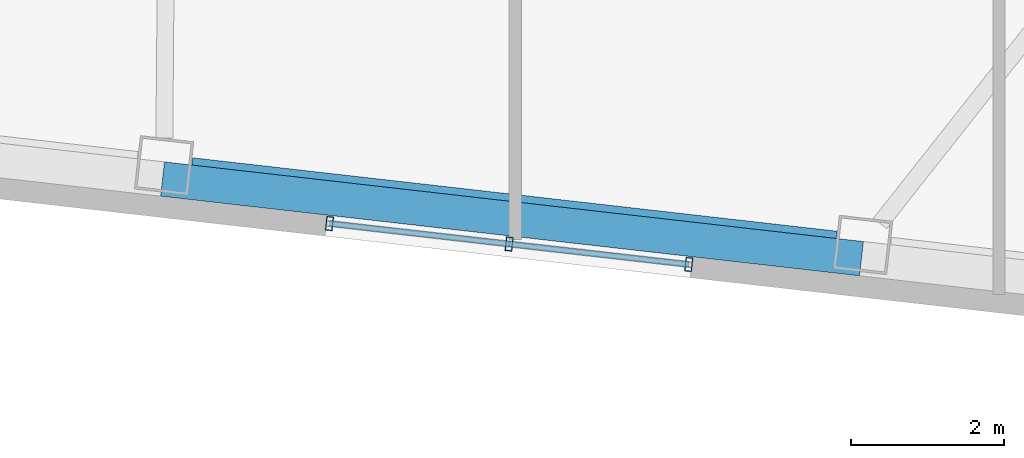
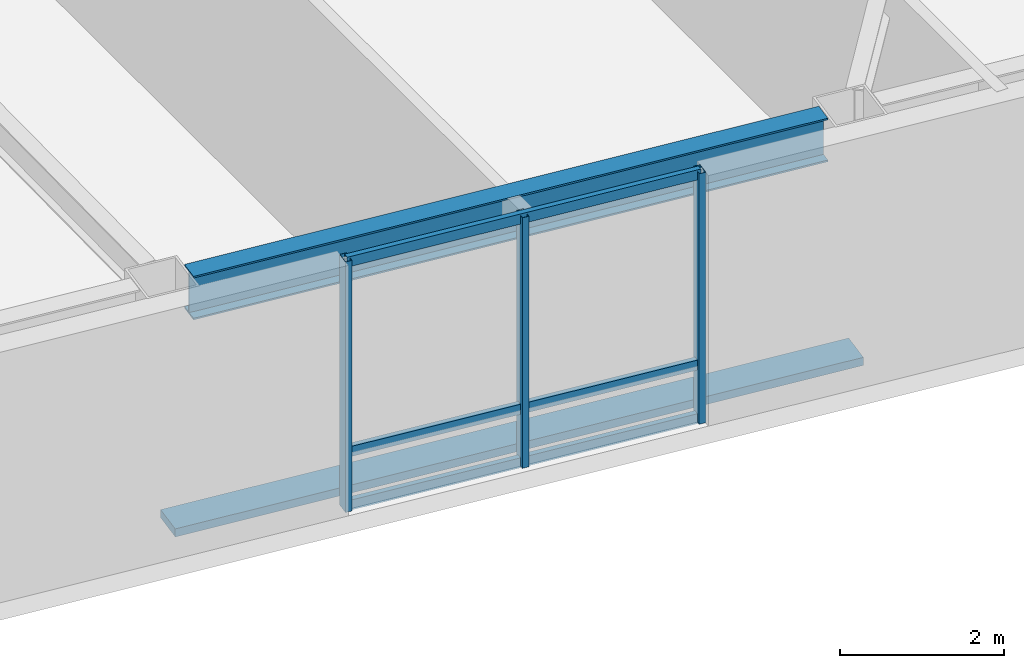
# One storey, part 3 of 19: 7 members, 1 beam, 1 element without a shape of its own.
"""IFC4 building model written with IfcOpenShell, lengths in metres."""

from ifc_helpers import new_model, si_unit, direction, frame, origin, origin_2d, place, context, subcontext, project, spatial, rectangle, hollow_rectangle, i_section, extrude, material, layer, layer_set, material_profile, profile_set, type_object, element, aggregate, save


model = new_model("IFC4")

# Units and contexts
model_context = context("Model", 3, precision=1e-05, world=origin(), true_north=direction((0.0, 1.0)))
body_context = subcontext(model_context, "Body", "Model", "MODEL_VIEW")
ifc_project = project(units=[si_unit("LENGTHUNIT", "METRE"), si_unit("AREAUNIT", "SQUARE_METRE"), si_unit("VOLUMEUNIT", "CUBIC_METRE"), si_unit("PLANEANGLEUNIT", "RADIAN"), si_unit("MASSUNIT", "GRAM", prefix="KILO")], contexts=[model_context])

# Site, building, storey
site_placement = place(None, origin())
site = spatial("IfcSite", under=ifc_project, at=site_placement, CompositionType="ELEMENT")
building_placement = place(site_placement, origin())
building = spatial("IfcBuilding", under=site, at=building_placement, Name="Tavrogorsk Clinical Tower", CompositionType="ELEMENT")
storey_placement = place(building_placement, frame((0.0, 0.0, 97.39990234375)))
storey = spatial("IfcBuildingStorey", under=building, at=storey_placement, Name="L21", CompositionType="ELEMENT", Elevation=97.39990234375)

# Member
ifc_material_1 = material(Name="Anodised aluminium alloy AW-6063", Category="aluminium")
ifc_material_profile_1 = material_profile(ifc_material_1, rectangle(XDim=0.449951171875, YDim=0.1201171875, at=origin_2d()), Name="ALU-SUNSHADE-450x120")
ifc_profile_set_1 = profile_set([ifc_material_profile_1], Name="Anodised aluminium alloy AW-6063")
member_type_1 = type_object("IfcMemberType", Name="ChicagoSunshade_450x120", PredefinedType="USERDEFINED", material=ifc_profile_set_1)
member_1_placement = place(storey_placement, frame((4.208251953125, -26.463134765625, 0.18017578125), z_axis=(0.993569662511, -0.113222461274, 0.0), x_axis=(0.113222461274, 0.993569662511, 0.0)))
element("IfcMember", 1, at=member_1_placement, inside=storey, type_object=member_type_1, Name="L21 South Aluminium Sunshade S5", ObjectType="SUNSHADE", PredefinedType="USERDEFINED", context=body_context, shape_type="SweptSolid", body=[
    extrude(rectangle(XDim=0.449951171875, YDim=0.1201171875, at=origin_2d()), origin(), (0.0, 0.0, 1.0), 9.17724609375),
])

# Curtain wall, members
ifc_material_2 = material(Name="Anodised aluminium and triple IGU glazing", Category="aluminium")
ifc_layer = layer(ifc_material_2, 0.179931640625)
ifc_layer_set = layer_set([ifc_layer], Name="Anodised aluminium and triple IGU glazing")
curtain_wall_type = type_object("IfcCurtainWallType", Name="CW3_SouthSlot", PredefinedType="NOTDEFINED", material=ifc_layer_set)
curtain_wall_placement = place(storey_placement, origin())
curtain_wall = element("IfcCurtainWall", 2, at=curtain_wall_placement, inside=storey, type_object=curtain_wall_type, Name="L21 Curtain Wall CW-L21-S-SLOT-2", PredefinedType="NOTDEFINED")
ifc_material_3 = material(Name="Anodised aluminium alloy AW-6060", Category="aluminium")
ifc_material_profile_2 = material_profile(ifc_material_3, hollow_rectangle(XDim=0.090087890625, YDim=0.179931640625, WallThickness=0.00634765625, at=origin_2d()), Name="RHS-180x90x6.3")
ifc_profile_set_2 = profile_set([ifc_material_profile_2], Name="Anodised aluminium alloy AW-6060")
member_type_2 = type_object("IfcMemberType", Name="CwMullion_180x90", PredefinedType="MULLION", material=ifc_profile_set_2)
member_2_placement = place(storey_placement, frame((6.38623046875, -27.04345703125, 0.0), z_axis=(0.0, 0.0, 1.0), x_axis=(0.993571858269, -0.113203191016, 0.0)))
member_2 = element("IfcMember", 3, at=member_2_placement, type_object=member_type_2, Name="CW-L21-S-SLOT-2 Mullion 1", PredefinedType="MULLION", context=body_context, shape_type="SweptSolid", body=[
    extrude(hollow_rectangle(XDim=0.090087890625, YDim=0.179931640625, WallThickness=0.00634765625, at=origin_2d()), origin(), (0.0, 0.0, 1.0), 3.739990234375),
])
member_3_placement = place(storey_placement, frame((8.72998046875, -27.310546875, 0.0), z_axis=(0.0, 0.0, 1.0), x_axis=(0.993571858269, -0.113203191016, 0.0)))
member_3 = element("IfcMember", 4, at=member_3_placement, type_object=member_type_2, Name="CW-L21-S-SLOT-2 Mullion 2", PredefinedType="MULLION", context=body_context, shape_type="SweptSolid", body=[
    extrude(hollow_rectangle(XDim=0.090087890625, YDim=0.179931640625, WallThickness=0.00634765625, at=origin_2d()), origin(), (0.0, 0.0, 1.0), 3.739990234375),
])
member_4_placement = place(storey_placement, frame((11.07373046875, -27.57763671875, 0.0), z_axis=(0.0, 0.0, 1.0), x_axis=(0.993571858269, -0.113203191016, 0.0)))
member_4 = element("IfcMember", 5, at=member_4_placement, type_object=member_type_2, Name="CW-L21-S-SLOT-2 Mullion 3", PredefinedType="MULLION", context=body_context, shape_type="SweptSolid", body=[
    extrude(hollow_rectangle(XDim=0.090087890625, YDim=0.179931640625, WallThickness=0.00634765625, at=origin_2d()), origin(), (0.0, 0.0, 1.0), 3.739990234375),
])
ifc_material_4 = material(Name="Anodised aluminium alloy AW-6060", Category="aluminium")
ifc_material_profile_3 = material_profile(ifc_material_4, hollow_rectangle(XDim=0.074951171875, YDim=0.14990234375, WallThickness=0.0048828125, at=origin_2d()), Name="RHS-150x75x5")
ifc_profile_set_3 = profile_set([ifc_material_profile_3], Name="Anodised aluminium alloy AW-6060")
member_type_3 = type_object("IfcMemberType", Name="CwTransom_150x75", PredefinedType="USERDEFINED", material=ifc_profile_set_3)
member_5_placement = place(storey_placement, frame((6.38623046875, -27.04345703125, 0.050048828125), z_axis=(0.993569315854, -0.113225503286, 0.0), x_axis=(0.113225503286, 0.993569315854, 0.0)))
member_5 = element("IfcMember", 6, at=member_5_placement, type_object=member_type_3, Name="CW-L21-S-SLOT-2 Transom 1", ObjectType="TRANSOM", PredefinedType="USERDEFINED", context=body_context, shape_type="SweptSolid", body=[
    extrude(hollow_rectangle(XDim=0.074951171875, YDim=0.14990234375, WallThickness=0.0048828125, at=origin_2d()), origin(), (0.0, 0.0, 1.0), 4.7177734375),
])
member_6_placement = place(storey_placement, frame((6.38623046875, -27.04345703125, 0.85009765625), z_axis=(0.993569315854, -0.113225503286, 0.0), x_axis=(0.113225503286, 0.993569315854, 0.0)))
member_6 = element("IfcMember", 7, at=member_6_placement, type_object=member_type_3, Name="CW-L21-S-SLOT-2 Transom 2", ObjectType="TRANSOM", PredefinedType="USERDEFINED", context=body_context, shape_type="SweptSolid", body=[
    extrude(hollow_rectangle(XDim=0.074951171875, YDim=0.14990234375, WallThickness=0.0048828125, at=origin_2d()), origin(), (0.0, 0.0, 1.0), 4.7177734375),
])
member_7_placement = place(storey_placement, frame((6.38623046875, -27.04345703125, 3.690185546875), z_axis=(0.993569315854, -0.113225503286, 0.0), x_axis=(0.113225503286, 0.993569315854, 0.0)))
member_7 = element("IfcMember", 8, at=member_7_placement, type_object=member_type_3, Name="CW-L21-S-SLOT-2 Transom 3", ObjectType="TRANSOM", PredefinedType="USERDEFINED", context=body_context, shape_type="SweptSolid", body=[
    extrude(hollow_rectangle(XDim=0.074951171875, YDim=0.14990234375, WallThickness=0.0048828125, at=origin_2d()), origin(), (0.0, 0.0, 1.0), 4.7177734375),
])
aggregate(curtain_wall, [member_2, member_3, member_4, member_5, member_6, member_7])

# Beam
ifc_material_5 = material(Name="Structural steel S390", Category="steel")
ifc_material_profile_4 = material_profile(ifc_material_5, i_section(OverallWidth=0.280029296875, OverallDepth=0.64990234375, WebThickness=0.01611328125, FlangeThickness=0.02490234375, at=origin_2d()), Name="B-650x280x16x25")
ifc_profile_set_4 = profile_set([ifc_material_profile_4], Name="Structural steel S390")
beam_type = type_object("IfcBeamType", Name="SpandrelBeam_B650", PredefinedType="SPANDREL", material=ifc_profile_set_4)
beam_placement = place(storey_placement, frame((4.584228515625, -26.324951171875, 3.4150390625), z_axis=(0.99357306506, -0.113192598642, 0.0), x_axis=(0.113192598642, 0.99357306506, 0.0)))
element("IfcBeam", 9, at=beam_placement, inside=storey, type_object=beam_type, Name="L21 Perimeter Spandrel S5-S6", PredefinedType="SPANDREL", context=body_context, shape_type="SweptSolid", body=[
    extrude(i_section(OverallWidth=0.280029296875, OverallDepth=0.64990234375, WebThickness=0.01611328125, FlangeThickness=0.02490234375, at=origin_2d()), origin(), (0.0, 0.0, 1.0), 8.46142578125),
])

save(model, "model.ifc")
